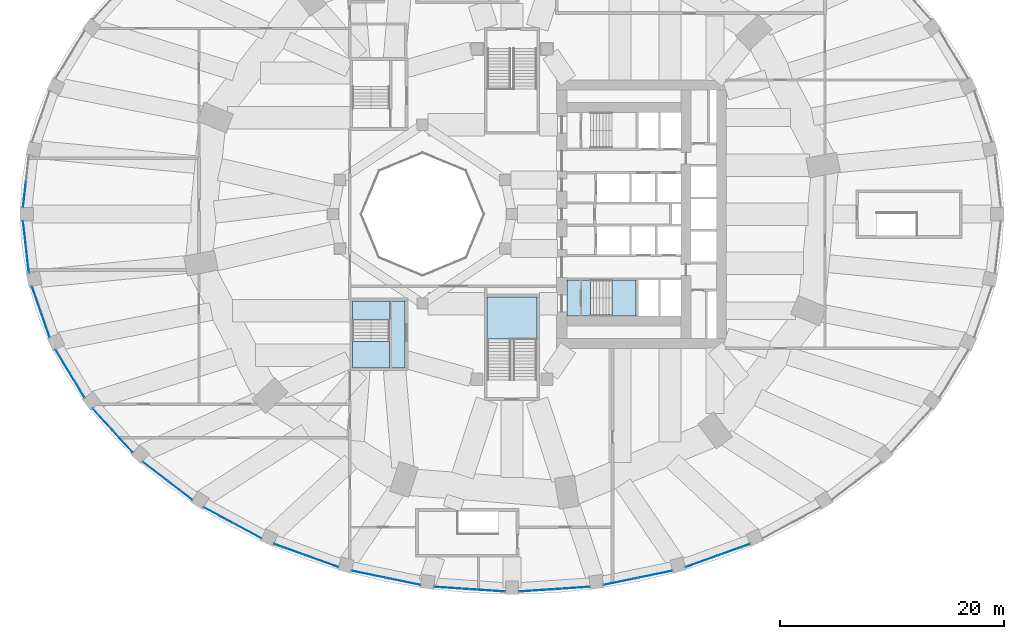
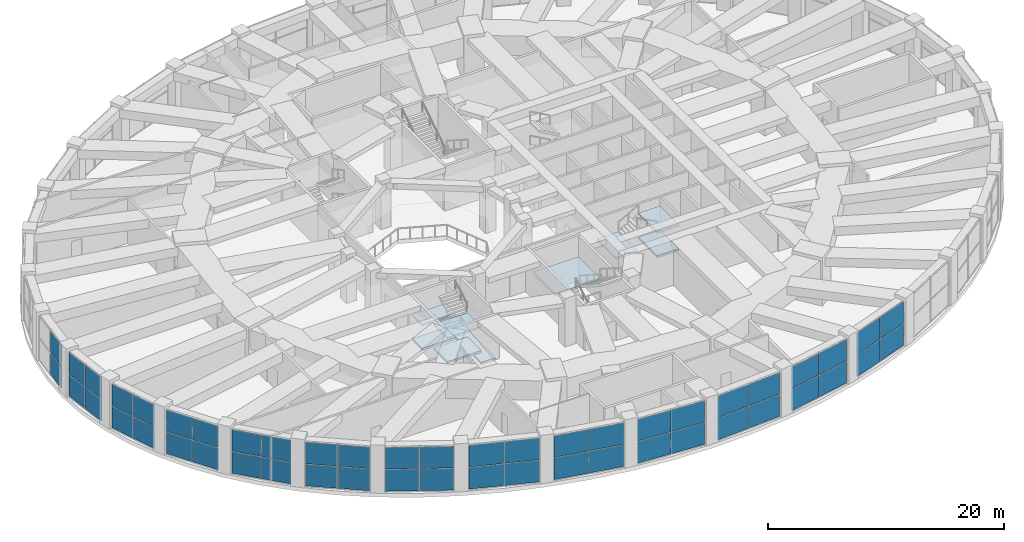
# One storey, part 18 of 30: 50 plates, 9 slabs, 16 elements without a shape of their own.
"""IFC4 building model written with IfcOpenShell, lengths in metres."""

import ifcopenshell
import ifcopenshell.guid

model = None  # the IFC model being written
_history = None  # IfcOwnerHistory: only IFC2X3 demands one
_inside = {}  # id of a spatial element -> (the spatial element, [elements in it])
_under = {}  # id of a project, library or spatial element -> (it, [spatial elements below it])
_declared = {}  # id of a project -> (the project, [libraries it declares])
_typed = {}  # id of a type object -> (the type object, [elements of that type])
_made_of = {}  # id of a material, layer set ... -> (it, [elements and type objects made of it])


def new_model(schema):
    """Start an empty IFC model of exactly this schema.

    Asked for "IFC4X3", IfcOpenShell would pick the latest addendum, in which some entities
    have other attributes; the version numbers below select the first issue.
    IFC2X3 requires an IfcOwnerHistory on every rooted entity: one is made here for all.
    """
    global model, _history
    if schema == "IFC4X3":
        model = ifcopenshell.file(schema_version=(4, 3, 0, 0))
    else:
        model = ifcopenshell.file(schema=schema)
    _inside.clear()
    _under.clear()
    _declared.clear()
    _typed.clear()
    _made_of.clear()
    _history = None
    if model.schema == "IFC2X3":
        org = make("IfcOrganization", Name="unknown")
        user = make(
            "IfcPersonAndOrganization",
            ThePerson=make("IfcPerson", FamilyName="unknown"),
            TheOrganization=org,
        )
        app = make(
            "IfcApplication",
            ApplicationDeveloper=org,
            Version="unknown",
            ApplicationFullName="unknown",
            ApplicationIdentifier="unknown",
        )
        _history = make(
            "IfcOwnerHistory",
            OwningUser=user,
            OwningApplication=app,
            ChangeAction="ADDED",
            CreationDate=0,
        )
    return model


def make(cls, **values):
    """One entity of the class cls with the attributes given. An attribute that is None is left unset."""
    return model.create_entity(
        cls, **{name: value for name, value in values.items() if value is not None}
    )


def rooted(cls, **values):
    """An entity with a GlobalId (a new one), such as an element, a storey or a relation."""
    return make(cls, GlobalId=ifcopenshell.guid.new(), OwnerHistory=_history, **values)


def si_unit(unit_type, name, prefix=None):
    """IfcSIUnit, for example si_unit("LENGTHUNIT", "METRE", prefix="MILLI")."""
    return make("IfcSIUnit", UnitType=unit_type, Prefix=prefix, Name=name)


def assignment(units):
    """IfcUnitAssignment: the units of a project."""
    return None if units is None else make("IfcUnitAssignment", Units=units)


def point(xyz):
    """IfcCartesianPoint."""
    return None if xyz is None else make("IfcCartesianPoint", Coordinates=xyz)


def direction(xyz):
    """IfcDirection."""
    return None if xyz is None else make("IfcDirection", DirectionRatios=xyz)


def frame(location, z_axis=None, x_axis=None):
    """IfcAxis2Placement3D, a coordinate frame: its origin and axes. An axis left out is left unset."""
    return make(
        "IfcAxis2Placement3D",
        Location=point(location),
        Axis=direction(z_axis),
        RefDirection=direction(x_axis),
    )


def frame_2d(location, x_axis=None):
    """IfcAxis2Placement2D, a coordinate frame in the plane: its origin and x axis."""
    return make(
        "IfcAxis2Placement2D", Location=point(location), RefDirection=direction(x_axis)
    )


def origin():
    """The frame at (0, 0, 0) with its axes left unset."""
    return frame((0.0, 0.0, 0.0))


def origin_2d():
    """The frame at (0, 0) in the plane with its x axis left unset."""
    return frame_2d((0.0, 0.0))


def place(relative_to, where):
    """IfcLocalPlacement: puts the frame where relative to a parent placement (None: the world)."""
    return make(
        "IfcLocalPlacement", PlacementRelTo=relative_to, RelativePlacement=where
    )


def context(
    kind, dimensions, precision=None, world=None, true_north=None, identifier=None
):
    """IfcGeometricRepresentationContext, for example the 3D "Model" context."""
    return make(
        "IfcGeometricRepresentationContext",
        ContextIdentifier=identifier,
        ContextType=kind,
        CoordinateSpaceDimension=dimensions,
        Precision=precision,
        WorldCoordinateSystem=world,
        TrueNorth=true_north,
    )


def subcontext(parent, identifier, kind, view, scale=None):
    """IfcGeometricRepresentationSubContext, for example "Body" below "Model"."""
    return make(
        "IfcGeometricRepresentationSubContext",
        ContextIdentifier=identifier,
        ContextType=kind,
        ParentContext=parent,
        TargetScale=scale,
        TargetView=view,
    )


def project(units=None, contexts=None):
    """IfcProject with its units and contexts."""
    return rooted(
        "IfcProject",
        Name="project",
        RepresentationContexts=contexts,
        UnitsInContext=assignment(units),
    )


def spatial(cls, under=None, at=None, **own):
    """A site, building, storey or space (cls), placed at a placement, below another one or the project."""
    s = rooted(cls, ObjectPlacement=at, **own)
    if under is not None:
        _under.setdefault(under.id(), (under, []))[1].append(s)
    return s


def polyline(points):
    """IfcPolyline through the points."""
    return make("IfcPolyline", Points=[point(p) for p in points])


def profile(cls, at=None, kind="AREA", **sizes):
    """A parametric profile (cls). Its sizes go by their IFC names, for example OverallWidth=200.0."""
    return make(cls, ProfileType=kind, Position=at, **sizes)


def rectangle(**sizes):
    """IfcRectangleProfileDef."""
    return profile("IfcRectangleProfileDef", **sizes)


def outline(outer, holes=None, kind="AREA"):
    """IfcArbitraryClosedProfileDef: a profile drawn as a closed curve; with holes, ...WithVoids."""
    if holes is None:
        return make("IfcArbitraryClosedProfileDef", ProfileType=kind, OuterCurve=outer)
    return make(
        "IfcArbitraryProfileDefWithVoids",
        ProfileType=kind,
        OuterCurve=outer,
        InnerCurves=holes,
    )


def extrude(swept, where, along, depth):
    """IfcExtrudedAreaSolid: the profile swept, set in the frame where, extruded along a direction by depth."""
    return make(
        "IfcExtrudedAreaSolid",
        SweptArea=swept,
        Position=where,
        ExtrudedDirection=direction(along),
        Depth=depth,
    )


def shape(context_of_items, identifier, shape_type, items):
    """IfcShapeRepresentation: the items that make up one representation, for example the "Body"."""
    return make(
        "IfcShapeRepresentation",
        ContextOfItems=context_of_items,
        RepresentationIdentifier=identifier,
        RepresentationType=shape_type,
        Items=items,
    )


def material(Name=None, Category=None):
    """IfcMaterial."""
    return make("IfcMaterial", Name=Name, Category=Category)


def layer(
    of_material, thickness, ventilated=None, Name=None, Category=None, Priority=None
):
    """IfcMaterialLayer: one layer of a wall or slab, of a material (None: an air gap)."""
    return make(
        "IfcMaterialLayer",
        Material=of_material,
        LayerThickness=thickness,
        IsVentilated=ventilated,
        Name=Name,
        Category=Category,
        Priority=Priority,
    )


def layer_set(layers, Name=None):
    """IfcMaterialLayerSet."""
    return make("IfcMaterialLayerSet", MaterialLayers=layers, LayerSetName=Name)


def made_of(thing, what):
    """Note that an element or type object is made of a material, layer set ...; save() writes the relation."""
    if what is not None:
        _made_of.setdefault(what.id(), (what, []))[1].append(thing)
    return thing


def type_object(cls, material=None, **own):
    """A type object (cls), such as IfcWallType, which elements share."""
    return made_of(rooted(cls, **own), material)


def element(
    cls,
    number,
    at=None,
    inside=None,
    cuts=None,
    type_object=None,
    material=None,
    context=None,
    identifier="Body",
    shape_type=None,
    held_by="IfcProductDefinitionShape",
    body=None,
    shapes=None,
    **own,
):
    """One element of the class cls, such as IfcWall. Its Tag is "e" and its number.

    at: its placement. inside: the storey or other place that contains it. cuts: it is an
    opening in that element (IfcRelVoidsElement). A single representation is given by context,
    identifier, shape_type and body (its items); several are given by shapes. held_by: the class
    of the entity that holds the representations. save() writes the other relations.
    """
    e = rooted(cls, Tag="e%d" % number, ObjectPlacement=at, **own)
    if body is not None:
        shapes = [shape(context, identifier, shape_type, body)]
    if shapes is not None:
        e.Representation = make(held_by, Representations=shapes)
    if inside is not None:
        _inside.setdefault(inside.id(), (inside, []))[1].append(e)
    if cuts is not None:
        rooted(
            "IfcRelVoidsElement", RelatingBuildingElement=cuts, RelatedOpeningElement=e
        )
    if type_object is not None:
        _typed.setdefault(type_object.id(), (type_object, []))[1].append(e)
    return made_of(e, material)


def aggregate(whole, parts):
    """IfcRelAggregates: a whole, such as a stair, and the parts it consists of."""
    return rooted("IfcRelAggregates", RelatingObject=whole, RelatedObjects=parts)


def save(model, path):
    """Write the relations noted so far, then the file.

    IfcRelAggregates (storeys below a building ...), IfcRelContainedInSpatialStructure (elements
    in a storey), IfcRelDefinesByType, IfcRelAssociatesMaterial and IfcRelDeclares: one each for
    every whole, place, type object, material and project.
    """
    for whole, parts in _under.values():
        aggregate(whole, parts)
    for where, things in _inside.values():
        rooted(
            "IfcRelContainedInSpatialStructure",
            RelatedElements=things,
            RelatingStructure=where,
        )
    for kind, things in _typed.values():
        rooted("IfcRelDefinesByType", RelatedObjects=things, RelatingType=kind)
    for what, things in _made_of.values():
        rooted("IfcRelAssociatesMaterial", RelatedObjects=things, RelatingMaterial=what)
    for by, libraries in _declared.values():
        rooted("IfcRelDeclares", RelatingContext=by, RelatedDefinitions=libraries)
    model.write(path)


model = new_model("IFC4")

# Units and contexts
model_context = context("Model", 3, precision=1e-05, world=origin(), true_north=direction((0.0, 1.0)))
body_context = subcontext(model_context, "Body", "Model", "MODEL_VIEW")
ifc_project = project(units=[si_unit("LENGTHUNIT", "METRE"), si_unit("AREAUNIT", "SQUARE_METRE"), si_unit("VOLUMEUNIT", "CUBIC_METRE"), si_unit("PLANEANGLEUNIT", "RADIAN"), si_unit("MASSUNIT", "GRAM", prefix="KILO")], contexts=[model_context])

# Site, building, storey
site_placement = place(None, origin())
site = spatial("IfcSite", under=ifc_project, at=site_placement, CompositionType="ELEMENT")
building_placement = place(site_placement, origin())
building = spatial("IfcBuilding", under=site, at=building_placement, Name="Taillehof Tower", CompositionType="ELEMENT")
storey_placement = place(building_placement, frame((0.0, 0.0, 12.5)))
storey = spatial("IfcBuildingStorey", under=building, at=storey_placement, Name="L02", CompositionType="ELEMENT", Elevation=12.5)

# Curtain wall, plates
ifc_material_1 = material(Name="Aluminium curtain wall with Clear low-emissivity double glazing", Category="aluminium")
curtain_wall_type = type_object("IfcCurtainWallType", Name="Podium window wall curtain wall", PredefinedType="USERDEFINED", material=ifc_material_1)
curtain_wall_1_placement = place(storey_placement, origin())
curtain_wall_1 = element("IfcCurtainWall", 1, at=curtain_wall_1_placement, inside=storey, type_object=curtain_wall_type, Name="Podium window wall L02 bay 18", ObjectType="WINDOW WALL", PredefinedType="USERDEFINED")
ifc_material_2 = material(Name="Clear low-emissivity double glazing", Category="glass")
ifc_layer_1 = layer(ifc_material_2, 0.028076171875)
ifc_layer_set_1 = layer_set([ifc_layer_1], Name="Podium window wall glass panel 28")
plate_type = type_object("IfcPlateType", Name="Podium window wall glass panel 28", PredefinedType="CURTAIN_PANEL", material=ifc_layer_set_1)
plate_1_placement = place(storey_placement, frame((-43.59716796875, 1.772216796875, 0.06005859375), z_axis=(0.0, 0.0, 1.0), x_axis=(-0.112932433888, -0.993602669771, 0.0)))
plate_1 = element("IfcPlate", 2, at=plate_1_placement, type_object=plate_type, Name="CT218 panel 2.1", PredefinedType="CURTAIN_PANEL", context=body_context, shape_type="SweptSolid", body=[
    extrude(rectangle(XDim=2.299560546875, YDim=0.028076171875, at=origin_2d()), origin(), (0.0, 0.0, 1.0), 2.235107421875),
])
plate_2_placement = place(storey_placement, frame((-43.59716796875, 1.772216796875, 2.35498046875), z_axis=(0.0, 0.0, 1.0), x_axis=(-0.112932433888, -0.993602669771, 0.0)))
plate_2 = element("IfcPlate", 3, at=plate_2_placement, type_object=plate_type, Name="CT218 panel 2.2", PredefinedType="CURTAIN_PANEL", context=body_context, shape_type="SweptSolid", body=[
    extrude(rectangle(XDim=2.299560546875, YDim=0.028076171875, at=origin_2d()), origin(), (0.0, 0.0, 1.0), 2.235107421875),
])
aggregate(curtain_wall_1, [plate_1, plate_2])

curtain_wall_2_placement = place(storey_placement, origin())
curtain_wall_2 = element("IfcCurtainWall", 4, at=curtain_wall_2_placement, inside=storey, type_object=curtain_wall_type, Name="Podium window wall L02 bay 19", ObjectType="WINDOW WALL", PredefinedType="USERDEFINED")
plate_3_placement = place(storey_placement, frame((-43.59716796875, -1.772216796875, 0.06005859375), z_axis=(0.0, 0.0, 1.0), x_axis=(0.112932433888, -0.993602669771, 0.0)))
plate_3 = element("IfcPlate", 5, at=plate_3_placement, type_object=plate_type, Name="CT219 panel 1.1", PredefinedType="CURTAIN_PANEL", context=body_context, shape_type="SweptSolid", body=[
    extrude(rectangle(XDim=2.299560546875, YDim=0.028076171875, at=origin_2d()), origin(), (0.0, 0.0, 1.0), 2.235107421875),
])
plate_4_placement = place(storey_placement, frame((-43.59716796875, -1.772216796875, 2.35498046875), z_axis=(0.0, 0.0, 1.0), x_axis=(0.112932433888, -0.993602669771, 0.0)))
plate_4 = element("IfcPlate", 6, at=plate_4_placement, type_object=plate_type, Name="CT219 panel 1.2", PredefinedType="CURTAIN_PANEL", context=body_context, shape_type="SweptSolid", body=[
    extrude(rectangle(XDim=2.299560546875, YDim=0.028076171875, at=origin_2d()), origin(), (0.0, 0.0, 1.0), 2.235107421875),
])
plate_5_placement = place(storey_placement, frame((-43.330810546875, -4.116455078125, 0.06005859375), z_axis=(0.0, 0.0, 1.0), x_axis=(0.112932433888, -0.993602669771, 0.0)))
plate_5 = element("IfcPlate", 7, at=plate_5_placement, type_object=plate_type, Name="CT219 panel 2.1", PredefinedType="CURTAIN_PANEL", context=body_context, shape_type="SweptSolid", body=[
    extrude(rectangle(XDim=2.299560546875, YDim=0.028076171875, at=origin_2d()), origin(), (0.0, 0.0, 1.0), 2.235107421875),
])
plate_6_placement = place(storey_placement, frame((-43.330810546875, -4.116455078125, 2.35498046875), z_axis=(0.0, 0.0, 1.0), x_axis=(0.112932433888, -0.993602669771, 0.0)))
plate_6 = element("IfcPlate", 8, at=plate_6_placement, type_object=plate_type, Name="CT219 panel 2.2", PredefinedType="CURTAIN_PANEL", context=body_context, shape_type="SweptSolid", body=[
    extrude(rectangle(XDim=2.299560546875, YDim=0.028076171875, at=origin_2d()), origin(), (0.0, 0.0, 1.0), 2.235107421875),
])
aggregate(curtain_wall_2, [plate_3, plate_4, plate_5, plate_6])

curtain_wall_3_placement = place(storey_placement, origin())
curtain_wall_3 = element("IfcCurtainWall", 9, at=curtain_wall_3_placement, inside=storey, type_object=curtain_wall_type, Name="Podium window wall L02 bay 20", ObjectType="WINDOW WALL", PredefinedType="USERDEFINED")
plate_7_placement = place(storey_placement, frame((-42.53369140625, -7.599853515625, 0.06005859375), z_axis=(0.0, 0.0, 1.0), x_axis=(0.328757610934, -0.944414333464, 0.0)))
plate_7 = element("IfcPlate", 10, at=plate_7_placement, type_object=plate_type, Name="CT220 panel 1.1", PredefinedType="CURTAIN_PANEL", context=body_context, shape_type="SweptSolid", body=[
    extrude(rectangle(XDim=2.35693359375, YDim=0.028076171875, at=origin_2d()), origin(), (0.0, 0.0, 1.0), 2.235107421875),
])
plate_8_placement = place(storey_placement, frame((-42.53369140625, -7.599853515625, 2.35498046875), z_axis=(0.0, 0.0, 1.0), x_axis=(0.328757610934, -0.944414333464, 0.0)))
plate_8 = element("IfcPlate", 11, at=plate_8_placement, type_object=plate_type, Name="CT220 panel 1.2", PredefinedType="CURTAIN_PANEL", context=body_context, shape_type="SweptSolid", body=[
    extrude(rectangle(XDim=2.35693359375, YDim=0.028076171875, at=origin_2d()), origin(), (0.0, 0.0, 1.0), 2.235107421875),
])
plate_9_placement = place(storey_placement, frame((-41.7392578125, -9.88232421875, 0.06005859375), z_axis=(0.0, 0.0, 1.0), x_axis=(0.328757610934, -0.944414333464, 0.0)))
plate_9 = element("IfcPlate", 12, at=plate_9_placement, type_object=plate_type, Name="CT220 panel 2.1", PredefinedType="CURTAIN_PANEL", context=body_context, shape_type="SweptSolid", body=[
    extrude(rectangle(XDim=2.35693359375, YDim=0.028076171875, at=origin_2d()), origin(), (0.0, 0.0, 1.0), 2.235107421875),
])
plate_10_placement = place(storey_placement, frame((-41.7392578125, -9.88232421875, 2.35498046875), z_axis=(0.0, 0.0, 1.0), x_axis=(0.328757610934, -0.944414333464, 0.0)))
plate_10 = element("IfcPlate", 13, at=plate_10_placement, type_object=plate_type, Name="CT220 panel 2.2", PredefinedType="CURTAIN_PANEL", context=body_context, shape_type="SweptSolid", body=[
    extrude(rectangle(XDim=2.35693359375, YDim=0.028076171875, at=origin_2d()), origin(), (0.0, 0.0, 1.0), 2.235107421875),
])
aggregate(curtain_wall_3, [plate_7, plate_8, plate_9, plate_10])

curtain_wall_4_placement = place(storey_placement, origin())
curtain_wall_4 = element("IfcCurtainWall", 14, at=curtain_wall_4_placement, inside=storey, type_object=curtain_wall_type, Name="Podium window wall L02 bay 21", ObjectType="WINDOW WALL", PredefinedType="USERDEFINED")
plate_11_placement = place(storey_placement, frame((-40.177490234375, -13.18798828125, 0.06005859375), z_axis=(0.0, 0.0, 1.0), x_axis=(0.518151483931, -0.855288863309, 0.0)))
plate_11 = element("IfcPlate", 15, at=plate_11_placement, type_object=plate_type, Name="CT221 panel 1.1", PredefinedType="CURTAIN_PANEL", context=body_context, shape_type="SweptSolid", body=[
    extrude(rectangle(XDim=2.4619140625, YDim=0.028076171875, at=origin_2d()), origin(), (0.0, 0.0, 1.0), 2.235107421875),
])
plate_12_placement = place(storey_placement, frame((-40.177490234375, -13.18798828125, 2.35498046875), z_axis=(0.0, 0.0, 1.0), x_axis=(0.518151483931, -0.855288863309, 0.0)))
plate_12 = element("IfcPlate", 16, at=plate_12_placement, type_object=plate_type, Name="CT221 panel 1.2", PredefinedType="CURTAIN_PANEL", context=body_context, shape_type="SweptSolid", body=[
    extrude(rectangle(XDim=2.4619140625, YDim=0.028076171875, at=origin_2d()), origin(), (0.0, 0.0, 1.0), 2.235107421875),
])
plate_13_placement = place(storey_placement, frame((-38.870849609375, -15.3447265625, 0.06005859375), z_axis=(0.0, 0.0, 1.0), x_axis=(0.518151483931, -0.855288863309, 0.0)))
plate_13 = element("IfcPlate", 17, at=plate_13_placement, type_object=plate_type, Name="CT221 panel 2.1", PredefinedType="CURTAIN_PANEL", context=body_context, shape_type="SweptSolid", body=[
    extrude(rectangle(XDim=2.4619140625, YDim=0.028076171875, at=origin_2d()), origin(), (0.0, 0.0, 1.0), 2.235107421875),
])
plate_14_placement = place(storey_placement, frame((-38.870849609375, -15.3447265625, 2.35498046875), z_axis=(0.0, 0.0, 1.0), x_axis=(0.518151483931, -0.855288863309, 0.0)))
plate_14 = element("IfcPlate", 18, at=plate_14_placement, type_object=plate_type, Name="CT221 panel 2.2", PredefinedType="CURTAIN_PANEL", context=body_context, shape_type="SweptSolid", body=[
    extrude(rectangle(XDim=2.4619140625, YDim=0.028076171875, at=origin_2d()), origin(), (0.0, 0.0, 1.0), 2.235107421875),
])
aggregate(curtain_wall_4, [plate_11, plate_12, plate_13, plate_14])

curtain_wall_5_placement = place(storey_placement, origin())
curtain_wall_5 = element("IfcCurtainWall", 19, at=curtain_wall_5_placement, inside=storey, type_object=curtain_wall_type, Name="Podium window wall L02 bay 22", ObjectType="WINDOW WALL", PredefinedType="USERDEFINED")
plate_15_placement = place(storey_placement, frame((-36.605224609375, -18.367919921875, 0.06005859375), z_axis=(0.0, 0.0, 1.0), x_axis=(0.672928961769, -0.739707112587, 0.0)))
plate_15 = element("IfcPlate", 20, at=plate_15_placement, type_object=plate_type, Name="CT222 panel 1.1", PredefinedType="CURTAIN_PANEL", context=body_context, shape_type="SweptSolid", body=[
    extrude(rectangle(XDim=2.59814453125, YDim=0.028076171875, at=origin_2d()), origin(), (0.0, 0.0, 1.0), 2.235107421875),
])
plate_16_placement = place(storey_placement, frame((-36.605224609375, -18.367919921875, 2.35498046875), z_axis=(0.0, 0.0, 1.0), x_axis=(0.672928961769, -0.739707112587, 0.0)))
plate_16 = element("IfcPlate", 21, at=plate_16_placement, type_object=plate_type, Name="CT222 panel 1.2", PredefinedType="CURTAIN_PANEL", context=body_context, shape_type="SweptSolid", body=[
    extrude(rectangle(XDim=2.59814453125, YDim=0.028076171875, at=origin_2d()), origin(), (0.0, 0.0, 1.0), 2.235107421875),
])
plate_17_placement = place(storey_placement, frame((-34.81640625, -20.333984375, 0.06005859375), z_axis=(0.0, 0.0, 1.0), x_axis=(0.672928961769, -0.739707112587, 0.0)))
plate_17 = element("IfcPlate", 22, at=plate_17_placement, type_object=plate_type, Name="CT222 panel 2.1", PredefinedType="CURTAIN_PANEL", context=body_context, shape_type="SweptSolid", body=[
    extrude(rectangle(XDim=2.59814453125, YDim=0.028076171875, at=origin_2d()), origin(), (0.0, 0.0, 1.0), 2.235107421875),
])
plate_18_placement = place(storey_placement, frame((-34.81640625, -20.333984375, 2.35498046875), z_axis=(0.0, 0.0, 1.0), x_axis=(0.672928961769, -0.739707112587, 0.0)))
plate_18 = element("IfcPlate", 23, at=plate_18_placement, type_object=plate_type, Name="CT222 panel 2.2", PredefinedType="CURTAIN_PANEL", context=body_context, shape_type="SweptSolid", body=[
    extrude(rectangle(XDim=2.59814453125, YDim=0.028076171875, at=origin_2d()), origin(), (0.0, 0.0, 1.0), 2.235107421875),
])
aggregate(curtain_wall_5, [plate_15, plate_16, plate_17, plate_18])

curtain_wall_6_placement = place(storey_placement, origin())
curtain_wall_6 = element("IfcCurtainWall", 24, at=curtain_wall_6_placement, inside=storey, type_object=curtain_wall_type, Name="Podium window wall L02 bay 23", ObjectType="WINDOW WALL", PredefinedType="USERDEFINED")
plate_19_placement = place(storey_placement, frame((-31.927490234375, -22.986083984375, 0.06005859375), z_axis=(0.0, 0.0, 1.0), x_axis=(0.792453709228, -0.60993206075, 0.0)))
plate_19 = element("IfcPlate", 25, at=plate_19_placement, type_object=plate_type, Name="CT223 panel 1.1", PredefinedType="CURTAIN_PANEL", context=body_context, shape_type="SweptSolid", body=[
    extrude(rectangle(XDim=2.74658203125, YDim=0.028076171875, at=origin_2d()), origin(), (0.0, 0.0, 1.0), 2.235107421875),
])
plate_20_placement = place(storey_placement, frame((-31.927490234375, -22.986083984375, 2.35498046875), z_axis=(0.0, 0.0, 1.0), x_axis=(0.792453709228, -0.60993206075, 0.0)))
plate_20 = element("IfcPlate", 26, at=plate_20_placement, type_object=plate_type, Name="CT223 panel 1.2", PredefinedType="CURTAIN_PANEL", context=body_context, shape_type="SweptSolid", body=[
    extrude(rectangle(XDim=2.74658203125, YDim=0.028076171875, at=origin_2d()), origin(), (0.0, 0.0, 1.0), 2.235107421875),
])
plate_21_placement = place(storey_placement, frame((-29.703369140625, -24.697998046875, 0.06005859375), z_axis=(0.0, 0.0, 1.0), x_axis=(0.792453709228, -0.60993206075, 0.0)))
plate_21 = element("IfcPlate", 27, at=plate_21_placement, type_object=plate_type, Name="CT223 panel 2.1", PredefinedType="CURTAIN_PANEL", context=body_context, shape_type="SweptSolid", body=[
    extrude(rectangle(XDim=2.74658203125, YDim=0.028076171875, at=origin_2d()), origin(), (0.0, 0.0, 1.0), 2.235107421875),
])
plate_22_placement = place(storey_placement, frame((-29.703369140625, -24.697998046875, 2.35498046875), z_axis=(0.0, 0.0, 1.0), x_axis=(0.792453709228, -0.60993206075, 0.0)))
plate_22 = element("IfcPlate", 28, at=plate_22_placement, type_object=plate_type, Name="CT223 panel 2.2", PredefinedType="CURTAIN_PANEL", context=body_context, shape_type="SweptSolid", body=[
    extrude(rectangle(XDim=2.74658203125, YDim=0.028076171875, at=origin_2d()), origin(), (0.0, 0.0, 1.0), 2.235107421875),
])
aggregate(curtain_wall_6, [plate_19, plate_20, plate_21, plate_22])

curtain_wall_7_placement = place(storey_placement, origin())
curtain_wall_7 = element("IfcCurtainWall", 29, at=curtain_wall_7_placement, inside=storey, type_object=curtain_wall_type, Name="Podium window wall L02 bay 24", ObjectType="WINDOW WALL", PredefinedType="USERDEFINED")
plate_23_placement = place(storey_placement, frame((-26.286376953125, -26.906005859375, 0.06005859375), z_axis=(0.0, 0.0, 1.0), x_axis=(0.880301433958, -0.474414781992, 0.0)))
plate_23 = element("IfcPlate", 30, at=plate_23_placement, type_object=plate_type, Name="CT224 panel 1.1", PredefinedType="CURTAIN_PANEL", context=body_context, shape_type="SweptSolid", body=[
    extrude(rectangle(XDim=2.888916015625, YDim=0.028076171875, at=origin_2d()), origin(), (0.0, 0.0, 1.0), 2.235107421875),
])
plate_24_placement = place(storey_placement, frame((-26.286376953125, -26.906005859375, 2.35498046875), z_axis=(0.0, 0.0, 1.0), x_axis=(0.880301433958, -0.474414781992, 0.0)))
plate_24 = element("IfcPlate", 31, at=plate_24_placement, type_object=plate_type, Name="CT224 panel 1.2", PredefinedType="CURTAIN_PANEL", context=body_context, shape_type="SweptSolid", body=[
    extrude(rectangle(XDim=2.888916015625, YDim=0.028076171875, at=origin_2d()), origin(), (0.0, 0.0, 1.0), 2.235107421875),
])
plate_25_placement = place(storey_placement, frame((-23.6904296875, -28.30517578125, 0.06005859375), z_axis=(0.0, 0.0, 1.0), x_axis=(0.880301433958, -0.474414781992, 0.0)))
plate_25 = element("IfcPlate", 32, at=plate_25_placement, type_object=plate_type, Name="CT224 panel 2.1", PredefinedType="CURTAIN_PANEL", context=body_context, shape_type="SweptSolid", body=[
    extrude(rectangle(XDim=2.888916015625, YDim=0.028076171875, at=origin_2d()), origin(), (0.0, 0.0, 1.0), 2.235107421875),
])
plate_26_placement = place(storey_placement, frame((-23.6904296875, -28.30517578125, 2.35498046875), z_axis=(0.0, 0.0, 1.0), x_axis=(0.880301433958, -0.474414781992, 0.0)))
plate_26 = element("IfcPlate", 33, at=plate_26_placement, type_object=plate_type, Name="CT224 panel 2.2", PredefinedType="CURTAIN_PANEL", context=body_context, shape_type="SweptSolid", body=[
    extrude(rectangle(XDim=2.888916015625, YDim=0.028076171875, at=origin_2d()), origin(), (0.0, 0.0, 1.0), 2.235107421875),
])
aggregate(curtain_wall_7, [plate_23, plate_24, plate_25, plate_26])

curtain_wall_8_placement = place(storey_placement, origin())
curtain_wall_8 = element("IfcCurtainWall", 34, at=curtain_wall_8_placement, inside=storey, type_object=curtain_wall_type, Name="Podium window wall L02 bay 25", ObjectType="WINDOW WALL", PredefinedType="USERDEFINED")
plate_27_placement = place(storey_placement, frame((-19.851806640625, -30.01171875, 0.06005859375), z_axis=(0.0, 0.0, 1.0), x_axis=(0.94121845058, -0.337798502496, 0.0)))
plate_27 = element("IfcPlate", 35, at=plate_27_placement, type_object=plate_type, Name="CT225 panel 1.1", PredefinedType="CURTAIN_PANEL", context=body_context, shape_type="SweptSolid", body=[
    extrude(rectangle(XDim=3.009765625, YDim=0.028076171875, at=origin_2d()), origin(), (0.0, 0.0, 1.0), 2.235107421875),
])
plate_28_placement = place(storey_placement, frame((-19.851806640625, -30.01171875, 2.35498046875), z_axis=(0.0, 0.0, 1.0), x_axis=(0.94121845058, -0.337798502496, 0.0)))
plate_28 = element("IfcPlate", 36, at=plate_28_placement, type_object=plate_type, Name="CT225 panel 1.2", PredefinedType="CURTAIN_PANEL", context=body_context, shape_type="SweptSolid", body=[
    extrude(rectangle(XDim=3.009765625, YDim=0.028076171875, at=origin_2d()), origin(), (0.0, 0.0, 1.0), 2.235107421875),
])
plate_29_placement = place(storey_placement, frame((-16.962646484375, -31.048583984375, 0.06005859375), z_axis=(0.0, 0.0, 1.0), x_axis=(0.94121845058, -0.337798502496, 0.0)))
plate_29 = element("IfcPlate", 37, at=plate_29_placement, type_object=plate_type, Name="CT225 panel 2.1", PredefinedType="CURTAIN_PANEL", context=body_context, shape_type="SweptSolid", body=[
    extrude(rectangle(XDim=3.009765625, YDim=0.028076171875, at=origin_2d()), origin(), (0.0, 0.0, 1.0), 2.235107421875),
])
plate_30_placement = place(storey_placement, frame((-16.962646484375, -31.048583984375, 2.35498046875), z_axis=(0.0, 0.0, 1.0), x_axis=(0.94121845058, -0.337798502496, 0.0)))
plate_30 = element("IfcPlate", 38, at=plate_30_placement, type_object=plate_type, Name="CT225 panel 2.2", PredefinedType="CURTAIN_PANEL", context=body_context, shape_type="SweptSolid", body=[
    extrude(rectangle(XDim=3.009765625, YDim=0.028076171875, at=origin_2d()), origin(), (0.0, 0.0, 1.0), 2.235107421875),
])
aggregate(curtain_wall_8, [plate_27, plate_28, plate_29, plate_30])

curtain_wall_9_placement = place(storey_placement, origin())
curtain_wall_9 = element("IfcCurtainWall", 39, at=curtain_wall_9_placement, inside=storey, type_object=curtain_wall_type, Name="Podium window wall L02 bay 26", ObjectType="WINDOW WALL", PredefinedType="USERDEFINED")
plate_31_placement = place(storey_placement, frame((-12.81689453125, -32.210693359375, 0.06005859375), z_axis=(0.0, 0.0, 1.0), x_axis=(0.97939047099, -0.201976001877, 0.0)))
plate_31 = element("IfcPlate", 40, at=plate_31_placement, type_object=plate_type, Name="CT226 panel 1.1", PredefinedType="CURTAIN_PANEL", context=body_context, shape_type="SweptSolid", body=[
    extrude(rectangle(XDim=3.0966796875, YDim=0.028076171875, at=origin_2d()), origin(), (0.0, 0.0, 1.0), 2.235107421875),
])
plate_32_placement = place(storey_placement, frame((-12.81689453125, -32.210693359375, 2.35498046875), z_axis=(0.0, 0.0, 1.0), x_axis=(0.97939047099, -0.201976001877, 0.0)))
plate_32 = element("IfcPlate", 41, at=plate_32_placement, type_object=plate_type, Name="CT226 panel 1.2", PredefinedType="CURTAIN_PANEL", context=body_context, shape_type="SweptSolid", body=[
    extrude(rectangle(XDim=3.0966796875, YDim=0.028076171875, at=origin_2d()), origin(), (0.0, 0.0, 1.0), 2.235107421875),
])
plate_33_placement = place(storey_placement, frame((-9.72509765625, -32.84814453125, 0.06005859375), z_axis=(0.0, 0.0, 1.0), x_axis=(0.97939047099, -0.201976001877, 0.0)))
plate_33 = element("IfcPlate", 42, at=plate_33_placement, type_object=plate_type, Name="CT226 panel 2.1", PredefinedType="CURTAIN_PANEL", context=body_context, shape_type="SweptSolid", body=[
    extrude(rectangle(XDim=3.0966796875, YDim=0.028076171875, at=origin_2d()), origin(), (0.0, 0.0, 1.0), 2.235107421875),
])
plate_34_placement = place(storey_placement, frame((-9.72509765625, -32.84814453125, 2.35498046875), z_axis=(0.0, 0.0, 1.0), x_axis=(0.97939047099, -0.201976001877, 0.0)))
plate_34 = element("IfcPlate", 43, at=plate_34_placement, type_object=plate_type, Name="CT226 panel 2.2", PredefinedType="CURTAIN_PANEL", context=body_context, shape_type="SweptSolid", body=[
    extrude(rectangle(XDim=3.0966796875, YDim=0.028076171875, at=origin_2d()), origin(), (0.0, 0.0, 1.0), 2.235107421875),
])
aggregate(curtain_wall_9, [plate_31, plate_32, plate_33, plate_34])

curtain_wall_10_placement = place(storey_placement, origin())
curtain_wall_10 = element("IfcCurtainWall", 44, at=curtain_wall_10_placement, inside=storey, type_object=curtain_wall_type, Name="Podium window wall L02 bay 27", ObjectType="WINDOW WALL", PredefinedType="USERDEFINED")
plate_35_placement = place(storey_placement, frame((-5.392578125, -33.4365234375, 0.06005859375), z_axis=(0.0, 0.0, 1.0), x_axis=(0.997740670644, -0.067182989977, 0.0)))
plate_35 = element("IfcPlate", 45, at=plate_35_placement, type_object=plate_type, Name="CT227 panel 1.1", PredefinedType="CURTAIN_PANEL", context=body_context, shape_type="SweptSolid", body=[
    extrude(rectangle(XDim=3.142333984375, YDim=0.028076171875, at=origin_2d()), origin(), (0.0, 0.0, 1.0), 2.235107421875),
])
plate_36_placement = place(storey_placement, frame((-5.392578125, -33.4365234375, 2.35498046875), z_axis=(0.0, 0.0, 1.0), x_axis=(0.997740670644, -0.067182989977, 0.0)))
plate_36 = element("IfcPlate", 46, at=plate_36_placement, type_object=plate_type, Name="CT227 panel 1.2", PredefinedType="CURTAIN_PANEL", context=body_context, shape_type="SweptSolid", body=[
    extrude(rectangle(XDim=3.142333984375, YDim=0.028076171875, at=origin_2d()), origin(), (0.0, 0.0, 1.0), 2.235107421875),
])
plate_37_placement = place(storey_placement, frame((-2.197509765625, -33.651611328125, 0.06005859375), z_axis=(0.0, 0.0, 1.0), x_axis=(0.997740670644, -0.067182989977, 0.0)))
plate_37 = element("IfcPlate", 47, at=plate_37_placement, type_object=plate_type, Name="CT227 panel 2.1", PredefinedType="CURTAIN_PANEL", context=body_context, shape_type="SweptSolid", body=[
    extrude(rectangle(XDim=3.142333984375, YDim=0.028076171875, at=origin_2d()), origin(), (0.0, 0.0, 1.0), 2.235107421875),
])
plate_38_placement = place(storey_placement, frame((-2.197509765625, -33.651611328125, 2.35498046875), z_axis=(0.0, 0.0, 1.0), x_axis=(0.997740670644, -0.067182989977, 0.0)))
plate_38 = element("IfcPlate", 48, at=plate_38_placement, type_object=plate_type, Name="CT227 panel 2.2", PredefinedType="CURTAIN_PANEL", context=body_context, shape_type="SweptSolid", body=[
    extrude(rectangle(XDim=3.142333984375, YDim=0.028076171875, at=origin_2d()), origin(), (0.0, 0.0, 1.0), 2.235107421875),
])
aggregate(curtain_wall_10, [plate_35, plate_36, plate_37, plate_38])

curtain_wall_11_placement = place(storey_placement, origin())
curtain_wall_11 = element("IfcCurtainWall", 49, at=curtain_wall_11_placement, inside=storey, type_object=curtain_wall_type, Name="Podium window wall L02 bay 28", ObjectType="WINDOW WALL", PredefinedType="USERDEFINED")
plate_39_placement = place(storey_placement, frame((2.197509765625, -33.651611328125, 0.06005859375), z_axis=(0.0, 0.0, 1.0), x_axis=(0.997740670644, 0.067182989977, 0.0)))
plate_39 = element("IfcPlate", 50, at=plate_39_placement, type_object=plate_type, Name="CT228 panel 1.1", PredefinedType="CURTAIN_PANEL", context=body_context, shape_type="SweptSolid", body=[
    extrude(rectangle(XDim=3.142333984375, YDim=0.028076171875, at=origin_2d()), origin(), (0.0, 0.0, 1.0), 2.235107421875),
])
plate_40_placement = place(storey_placement, frame((2.197509765625, -33.651611328125, 2.35498046875), z_axis=(0.0, 0.0, 1.0), x_axis=(0.997740670644, 0.067182989977, 0.0)))
plate_40 = element("IfcPlate", 51, at=plate_40_placement, type_object=plate_type, Name="CT228 panel 1.2", PredefinedType="CURTAIN_PANEL", context=body_context, shape_type="SweptSolid", body=[
    extrude(rectangle(XDim=3.142333984375, YDim=0.028076171875, at=origin_2d()), origin(), (0.0, 0.0, 1.0), 2.235107421875),
])
plate_41_placement = place(storey_placement, frame((5.392578125, -33.4365234375, 0.06005859375), z_axis=(0.0, 0.0, 1.0), x_axis=(0.997740670644, 0.067182989977, 0.0)))
plate_41 = element("IfcPlate", 52, at=plate_41_placement, type_object=plate_type, Name="CT228 panel 2.1", PredefinedType="CURTAIN_PANEL", context=body_context, shape_type="SweptSolid", body=[
    extrude(rectangle(XDim=3.142333984375, YDim=0.028076171875, at=origin_2d()), origin(), (0.0, 0.0, 1.0), 2.235107421875),
])
plate_42_placement = place(storey_placement, frame((5.392578125, -33.4365234375, 2.35498046875), z_axis=(0.0, 0.0, 1.0), x_axis=(0.997740670644, 0.067182989977, 0.0)))
plate_42 = element("IfcPlate", 53, at=plate_42_placement, type_object=plate_type, Name="CT228 panel 2.2", PredefinedType="CURTAIN_PANEL", context=body_context, shape_type="SweptSolid", body=[
    extrude(rectangle(XDim=3.142333984375, YDim=0.028076171875, at=origin_2d()), origin(), (0.0, 0.0, 1.0), 2.235107421875),
])
aggregate(curtain_wall_11, [plate_39, plate_40, plate_41, plate_42])

curtain_wall_12_placement = place(storey_placement, origin())
curtain_wall_12 = element("IfcCurtainWall", 54, at=curtain_wall_12_placement, inside=storey, type_object=curtain_wall_type, Name="Podium window wall L02 bay 29", ObjectType="WINDOW WALL", PredefinedType="USERDEFINED")
plate_43_placement = place(storey_placement, frame((9.72509765625, -32.84814453125, 0.06005859375), z_axis=(0.0, 0.0, 1.0), x_axis=(0.97939047099, 0.201976001877, 0.0)))
plate_43 = element("IfcPlate", 55, at=plate_43_placement, type_object=plate_type, Name="CT229 panel 1.1", PredefinedType="CURTAIN_PANEL", context=body_context, shape_type="SweptSolid", body=[
    extrude(rectangle(XDim=3.0966796875, YDim=0.028076171875, at=origin_2d()), origin(), (0.0, 0.0, 1.0), 2.235107421875),
])
plate_44_placement = place(storey_placement, frame((9.72509765625, -32.84814453125, 2.35498046875), z_axis=(0.0, 0.0, 1.0), x_axis=(0.97939047099, 0.201976001877, 0.0)))
plate_44 = element("IfcPlate", 56, at=plate_44_placement, type_object=plate_type, Name="CT229 panel 1.2", PredefinedType="CURTAIN_PANEL", context=body_context, shape_type="SweptSolid", body=[
    extrude(rectangle(XDim=3.0966796875, YDim=0.028076171875, at=origin_2d()), origin(), (0.0, 0.0, 1.0), 2.235107421875),
])
plate_45_placement = place(storey_placement, frame((12.81689453125, -32.210693359375, 0.06005859375), z_axis=(0.0, 0.0, 1.0), x_axis=(0.97939047099, 0.201976001877, 0.0)))
plate_45 = element("IfcPlate", 57, at=plate_45_placement, type_object=plate_type, Name="CT229 panel 2.1", PredefinedType="CURTAIN_PANEL", context=body_context, shape_type="SweptSolid", body=[
    extrude(rectangle(XDim=3.0966796875, YDim=0.028076171875, at=origin_2d()), origin(), (0.0, 0.0, 1.0), 2.235107421875),
])
plate_46_placement = place(storey_placement, frame((12.81689453125, -32.210693359375, 2.35498046875), z_axis=(0.0, 0.0, 1.0), x_axis=(0.97939047099, 0.201976001877, 0.0)))
plate_46 = element("IfcPlate", 58, at=plate_46_placement, type_object=plate_type, Name="CT229 panel 2.2", PredefinedType="CURTAIN_PANEL", context=body_context, shape_type="SweptSolid", body=[
    extrude(rectangle(XDim=3.0966796875, YDim=0.028076171875, at=origin_2d()), origin(), (0.0, 0.0, 1.0), 2.235107421875),
])
aggregate(curtain_wall_12, [plate_43, plate_44, plate_45, plate_46])

curtain_wall_13_placement = place(storey_placement, origin())
curtain_wall_13 = element("IfcCurtainWall", 59, at=curtain_wall_13_placement, inside=storey, type_object=curtain_wall_type, Name="Podium window wall L02 bay 30", ObjectType="WINDOW WALL", PredefinedType="USERDEFINED")
plate_47_placement = place(storey_placement, frame((16.962646484375, -31.048583984375, 0.06005859375), z_axis=(0.0, 0.0, 1.0), x_axis=(0.94121845058, 0.337798502496, 0.0)))
plate_47 = element("IfcPlate", 60, at=plate_47_placement, type_object=plate_type, Name="CT230 panel 1.1", PredefinedType="CURTAIN_PANEL", context=body_context, shape_type="SweptSolid", body=[
    extrude(rectangle(XDim=3.009765625, YDim=0.028076171875, at=origin_2d()), origin(), (0.0, 0.0, 1.0), 2.235107421875),
])
plate_48_placement = place(storey_placement, frame((16.962646484375, -31.048583984375, 2.35498046875), z_axis=(0.0, 0.0, 1.0), x_axis=(0.94121845058, 0.337798502496, 0.0)))
plate_48 = element("IfcPlate", 61, at=plate_48_placement, type_object=plate_type, Name="CT230 panel 1.2", PredefinedType="CURTAIN_PANEL", context=body_context, shape_type="SweptSolid", body=[
    extrude(rectangle(XDim=3.009765625, YDim=0.028076171875, at=origin_2d()), origin(), (0.0, 0.0, 1.0), 2.235107421875),
])
plate_49_placement = place(storey_placement, frame((19.851806640625, -30.01171875, 0.06005859375), z_axis=(0.0, 0.0, 1.0), x_axis=(0.94121845058, 0.337798502496, 0.0)))
plate_49 = element("IfcPlate", 62, at=plate_49_placement, type_object=plate_type, Name="CT230 panel 2.1", PredefinedType="CURTAIN_PANEL", context=body_context, shape_type="SweptSolid", body=[
    extrude(rectangle(XDim=3.009765625, YDim=0.028076171875, at=origin_2d()), origin(), (0.0, 0.0, 1.0), 2.235107421875),
])
plate_50_placement = place(storey_placement, frame((19.851806640625, -30.01171875, 2.35498046875), z_axis=(0.0, 0.0, 1.0), x_axis=(0.94121845058, 0.337798502496, 0.0)))
plate_50 = element("IfcPlate", 63, at=plate_50_placement, type_object=plate_type, Name="CT230 panel 2.2", PredefinedType="CURTAIN_PANEL", context=body_context, shape_type="SweptSolid", body=[
    extrude(rectangle(XDim=3.009765625, YDim=0.028076171875, at=origin_2d()), origin(), (0.0, 0.0, 1.0), 2.235107421875),
])
aggregate(curtain_wall_13, [plate_47, plate_48, plate_49, plate_50])

# Stair, slab
ifc_material_3 = material(Name="Concrete C30/37", Category="concrete")
stair_type_1 = type_object("IfcStairType", Name="Escape stair 2100 mm", PredefinedType="HALF_TURN_STAIR", material=ifc_material_3)
stair_1_placement = place(storey_placement, origin())
stair_1 = element("IfcStair", 64, at=stair_1_placement, inside=storey, type_object=stair_type_1, Name="Escape stair P2", PredefinedType="HALF_TURN_STAIR")
ifc_material_4 = material(Name="Concrete C30/37", Category="concrete")
ifc_layer_2 = layer(ifc_material_4, 0.199951171875)
ifc_layer_set_2 = layer_set([ifc_layer_2], Name="Stair landing 200 mm")
slab_type_1 = type_object("IfcSlabType", Name="Stair landing 200 mm", PredefinedType="LANDING", material=ifc_layer_set_2)
slab_1_placement = place(storey_placement, frame((0.0, 0.0, 2.300048828125)))
slab_1 = element("IfcSlab", 65, at=slab_1_placement, type_object=slab_type_1, Name="P2 landing 1", PredefinedType="LANDING", context=body_context, shape_type="SweptSolid", body=[
    extrude(outline(polyline([(-2.22509765625, -11.179931640625), (2.22509765625, -11.179931640625), (2.22509765625, -7.39990234375), (-2.22509765625, -7.39990234375), (-2.22509765625, -11.179931640625)])), origin(), (0.0, 0.0, 1.0), 0.199951171875),
])
aggregate(stair_1, [slab_1])

# Stair, slabs
ifc_material_5 = material(Name="Concrete C40/50", Category="concrete")
stair_type_2 = type_object("IfcStairType", Name="Exit stair half-turn", PredefinedType="HALF_TURN_STAIR", material=ifc_material_5)
stair_2_placement = place(storey_placement, origin())
stair_2 = element("IfcStair", 66, at=stair_2_placement, inside=storey, type_object=stair_type_2, Name="Exit stair S2", PredefinedType="HALF_TURN_STAIR")
ifc_material_6 = material(Name="Concrete C40/50", Category="concrete")
ifc_layer_3 = layer(ifc_material_6, 0.2099609375)
ifc_layer_set_3 = layer_set([ifc_layer_3], Name="Stair landing C40/50 210")
slab_type_2 = type_object("IfcSlabType", Name="Stair landing C40/50 210", PredefinedType="LANDING", material=ifc_layer_set_3)
slab_2_placement = place(storey_placement, frame((0.0, 0.0, 1.0400390625)))
slab_2 = element("IfcSlab", 67, at=slab_2_placement, type_object=slab_type_2, Name="S2 landing 1", PredefinedType="LANDING", context=body_context, shape_type="SweptSolid", body=[
    extrude(outline(polyline([(8.9599609375, -5.89990234375), (11.10009765625, -5.89990234375), (11.10009765625, -9.10009765625), (8.9599609375, -9.10009765625), (8.9599609375, -5.89990234375)])), origin(), (0.0, 0.0, 1.0), 0.2099609375),
])
slab_3_placement = place(storey_placement, frame((0.0, 0.0, 2.2900390625)))
slab_3 = element("IfcSlab", 68, at=slab_3_placement, type_object=slab_type_2, Name="S2 landing 2", PredefinedType="LANDING", context=body_context, shape_type="SweptSolid", body=[
    extrude(outline(polyline([(4.89990234375, -5.89990234375), (7.0, -5.89990234375), (7.0, -9.10009765625), (4.89990234375, -9.10009765625), (4.89990234375, -5.89990234375)])), origin(), (0.0, 0.0, 1.0), 0.2099609375),
])
slab_4_placement = place(storey_placement, frame((0.0, 0.0, 3.5400390625)))
slab_4 = element("IfcSlab", 69, at=slab_4_placement, type_object=slab_type_2, Name="S2 landing 3", PredefinedType="LANDING", context=body_context, shape_type="SweptSolid", body=[
    extrude(outline(polyline([(8.9599609375, -5.89990234375), (11.10009765625, -5.89990234375), (11.10009765625, -9.10009765625), (8.9599609375, -9.10009765625), (8.9599609375, -5.89990234375)])), origin(), (0.0, 0.0, 1.0), 0.2099609375),
])
aggregate(stair_2, [slab_2, slab_3, slab_4])

stair_3_placement = place(storey_placement, origin())
stair_3 = element("IfcStair", 70, at=stair_3_placement, inside=storey, type_object=stair_type_2, Name="Exit stair S4", PredefinedType="HALF_TURN_STAIR")
slab_5_placement = place(storey_placement, frame((0.0, 0.0, 1.0400390625)))
slab_5 = element("IfcSlab", 71, at=slab_5_placement, type_object=slab_type_2, Name="S4 landing 1", PredefinedType="LANDING", context=body_context, shape_type="SweptSolid", body=[
    extrude(outline(polyline([(-14.25, -11.409912109375), (-14.25, -13.75), (-10.949951171875, -13.75), (-10.949951171875, -11.409912109375), (-14.25, -11.409912109375)])), origin(), (0.0, 0.0, 1.0), 0.2099609375),
])
slab_6_placement = place(storey_placement, frame((0.0, 0.0, 2.2900390625)))
slab_6 = element("IfcSlab", 72, at=slab_6_placement, type_object=slab_type_2, Name="S4 landing 2", PredefinedType="LANDING", context=body_context, shape_type="SweptSolid", body=[
    extrude(outline(polyline([(-14.25, -7.75), (-14.25, -9.449951171875), (-10.949951171875, -9.449951171875), (-10.949951171875, -7.75), (-14.25, -7.75)])), origin(), (0.0, 0.0, 1.0), 0.2099609375),
])
slab_7_placement = place(storey_placement, frame((0.0, 0.0, 3.5400390625)))
slab_7 = element("IfcSlab", 73, at=slab_7_placement, type_object=slab_type_2, Name="S4 landing 3", PredefinedType="LANDING", context=body_context, shape_type="SweptSolid", body=[
    extrude(outline(polyline([(-14.25, -11.409912109375), (-14.25, -13.75), (-10.949951171875, -13.75), (-10.949951171875, -11.409912109375), (-14.25, -11.409912109375)])), origin(), (0.0, 0.0, 1.0), 0.2099609375),
])
aggregate(stair_3, [slab_5, slab_6, slab_7])

# Slabs
slab_8_placement = place(storey_placement, frame((0.0, 0.0, -0.2099609375)))
element("IfcSlab", 74, at=slab_8_placement, inside=storey, type_object=slab_type_2, Name="Stair S4 floor landing", PredefinedType="LANDING", context=body_context, shape_type="SweptSolid", body=[
    extrude(outline(polyline([(-14.25, -7.75), (-14.25, -9.449951171875), (-10.949951171875, -9.449951171875), (-10.949951171875, -7.75), (-14.25, -7.75)])), origin(), (0.0, 0.0, 1.0), 0.2099609375),
])
slab_9_placement = place(storey_placement, frame((0.0, 0.0, -0.2099609375)))
element("IfcSlab", 75, at=slab_9_placement, inside=storey, type_object=slab_type_2, Name="Stair lobby S4 floor", PredefinedType="LANDING", context=body_context, shape_type="SweptSolid", body=[
    extrude(outline(polyline([(-10.949951171875, -13.75), (-9.550048828125, -13.75), (-9.550048828125, -7.75), (-10.949951171875, -7.75), (-10.949951171875, -13.75)])), origin(), (0.0, 0.0, 1.0), 0.2099609375),
])

save(model, "model.ifc")
